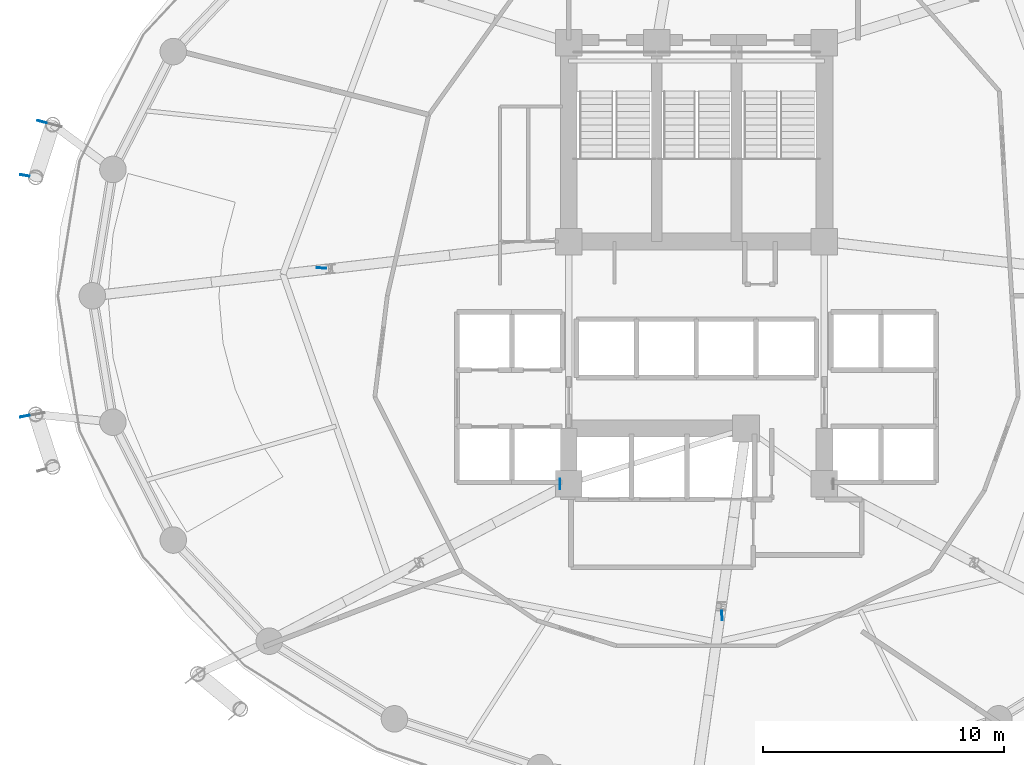
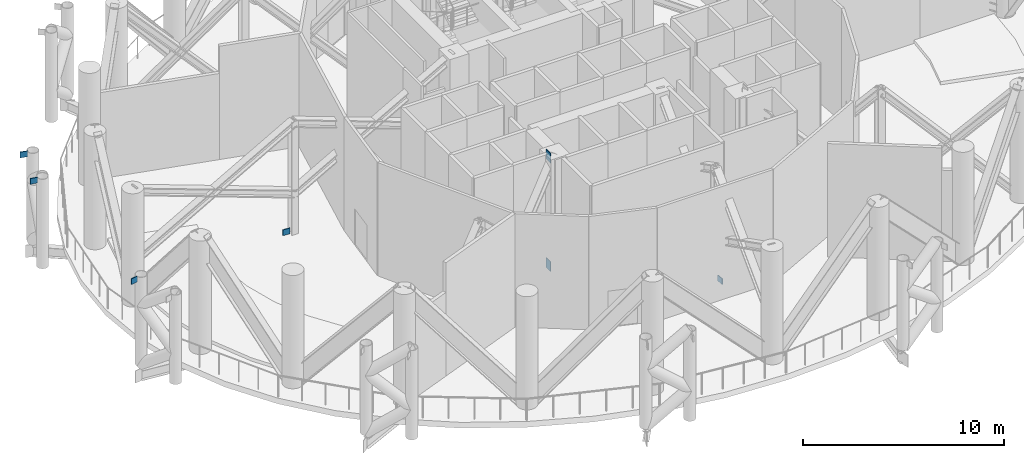
# One storey, part 12 of 19: 7 discrete accessories.
"""IFC4 building model written with IfcOpenShell, lengths in metres."""

from ifc_helpers import new_model, si_unit, direction, frame, origin, origin_2d, place, context, subcontext, project, spatial, rectangle, extrude, material, type_object, element, save


model = new_model("IFC4")

# Units and contexts
model_context = context("Model", 3, precision=1e-05, world=origin(), true_north=direction((0.0, 1.0)))
body_context = subcontext(model_context, "Body", "Model", "MODEL_VIEW")
ifc_project = project(units=[si_unit("LENGTHUNIT", "METRE"), si_unit("AREAUNIT", "SQUARE_METRE"), si_unit("VOLUMEUNIT", "CUBIC_METRE"), si_unit("PLANEANGLEUNIT", "RADIAN"), si_unit("MASSUNIT", "GRAM", prefix="KILO")], contexts=[model_context])

# Site, building, storey
site_placement = place(None, origin())
site = spatial("IfcSite", under=ifc_project, at=site_placement, CompositionType="ELEMENT")
building_placement = place(site_placement, origin())
building = spatial("IfcBuilding", under=site, at=building_placement, Name="Nuhasar Tower", CompositionType="ELEMENT")
storey_placement = place(building_placement, frame((0.0, 0.0, 106.050048828125)))
storey = spatial("IfcBuildingStorey", under=building, at=storey_placement, Name="L25", CompositionType="ELEMENT", Elevation=106.050048828125)

# Discrete accessories
ifc_material = material(Name="Steel S460", Category="steel")
discrete_accessory_type_1 = type_object("IfcDiscreteAccessoryType", Name="ACC-EMB-30", PredefinedType="USERDEFINED", material=ifc_material)
for number, where, z_axis, x_axis, name in (
    (1, (33.3349609375, 19.0, -0.150146484375), (0.0, 0.0, 1.0), (1.0, 0.0, 0.0), "L25 Outrigger Diagonal Core Wall Cast-in Plate 01-LO"),
    (2, (33.3349609375, 19.0, 6.429931640625), (0.0, 0.0, 1.0), (1.0, 0.0, 0.0), "L25 Outrigger Diagonal Core Wall Cast-in Plate 01-HI"),
):
    element("IfcDiscreteAccessory", number, at=place(storey_placement, frame(where, z_axis=z_axis, x_axis=x_axis)), inside=storey, type_object=discrete_accessory_type_1, Name=name, ObjectType="CAST_IN_PLATE", PredefinedType="USERDEFINED", context=body_context, shape_type="SweptSolid", body=[
        extrude(rectangle(XDim=0.030029296875, YDim=0.449951171875, at=origin_2d()), origin(), (0.0, 0.0, 1.0), 0.60009765625),
    ])
discrete_accessory_type_2 = type_object("IfcDiscreteAccessoryType", Name="ACC-GUS-40", PredefinedType="USERDEFINED", material=ifc_material)
for number, where, z_axis, x_axis, name in (
    (3, (11.867919921875, 34.01611328125, 5.079833984375), (0.0, 0.0, 1.0), (-0.966403000906, 0.257031593079, 0.0), "L25 Exoskeleton Chord Column EC-06A Gusset Plate"),
    (4, (11.152099609375, 31.7900390625, 5.079833984375), (0.0, 0.0, 1.0), (-0.984322075157, 0.176380419433, 0.0), "L25 Exoskeleton Chord Column EC-06B Gusset Plate"),
    (5, (11.152099609375, 21.81005859375, 5.079833984375), (0.0, 0.0, 1.0), (-0.984322075157, -0.176380419433, 0.0), "L25 Exoskeleton Chord Column EC-07A Gusset Plate"),
    (6, (40.054931640625, 13.5458984375, 0.0), (0.0, 0.0, 1.0), (0.079363836763, -0.996845715953, 0.0), "L25 Outrigger Truss Post 02 Gusset Plate"),
    (7, (23.446044921875, 27.952880859375, 0.0), (0.0, 0.0, 1.0), (-0.997263104282, 0.073934436076, 0.0), "L25 Outrigger Truss Post 08 Gusset Plate"),
):
    element("IfcDiscreteAccessory", number, at=place(storey_placement, frame(where, z_axis=z_axis, x_axis=x_axis)), inside=storey, type_object=discrete_accessory_type_2, Name=name, ObjectType="STEEL_GUSSET_PLATE", PredefinedType="USERDEFINED", context=body_context, shape_type="SweptSolid", body=[
        extrude(rectangle(XDim=0.39990234375, YDim=0.0400390625, at=origin_2d()), origin(), (0.0, 0.0, 1.0), 0.35009765625),
    ])

save(model, "model.ifc")
